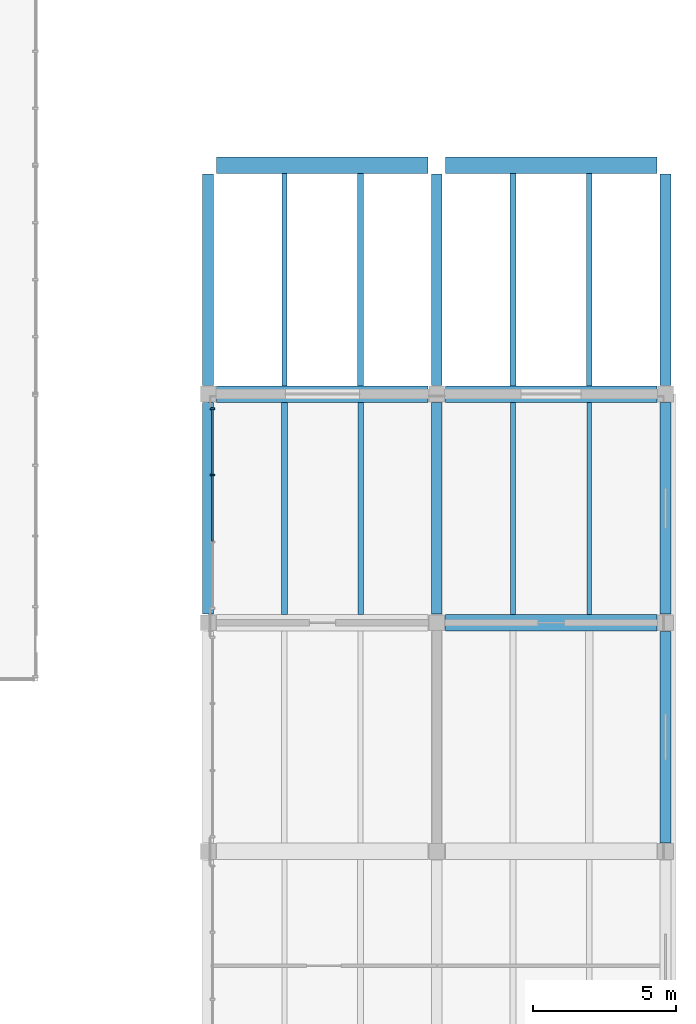
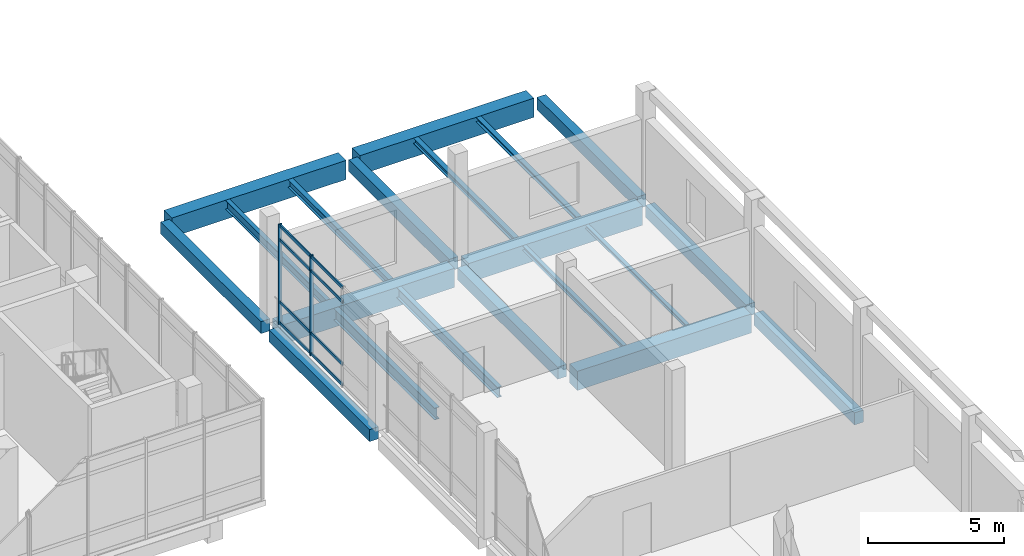
# One storey, part 11 of 28: 20 beams, 10 members, 1 element without a shape of its own.
"""IFC4 building model written with IfcOpenShell, lengths in metres."""

from ifc_helpers import new_model, si_unit, direction, frame, origin, origin_2d, place, context, subcontext, project, spatial, rectangle, i_section, extrude, material, material_profile, profile_set, type_object, element, aggregate, save


model = new_model("IFC4")

# Units and contexts
model_context = context("Model", 3, precision=1e-05, world=origin(), true_north=direction((0.0, 1.0)))
body_context = subcontext(model_context, "Body", "Model", "MODEL_VIEW")
ifc_project = project(units=[si_unit("LENGTHUNIT", "METRE"), si_unit("AREAUNIT", "SQUARE_METRE"), si_unit("VOLUMEUNIT", "CUBIC_METRE"), si_unit("PLANEANGLEUNIT", "RADIAN"), si_unit("MASSUNIT", "GRAM", prefix="KILO")], contexts=[model_context])

# Site, building, storey
site_placement = place(None, origin())
site = spatial("IfcSite", under=ifc_project, at=site_placement, CompositionType="ELEMENT")
building_placement = place(site_placement, origin())
building = spatial("IfcBuilding", under=site, at=building_placement, Name="Pecanmere Concourse Central Library", CompositionType="ELEMENT")
storey_placement = place(building_placement, frame((0.0, 0.0, 20.10009765625)))
storey = spatial("IfcBuildingStorey", under=building, at=storey_placement, Name="L05", CompositionType="ELEMENT", Elevation=20.10009765625)

# Beams
ifc_material_1 = material(Name="Concrete C40/50", Category="concrete")
ifc_material_profile_1 = material_profile(ifc_material_1, rectangle(XDim=0.3798828125, YDim=0.5400390625, at=origin_2d()), Name="RC 380x540")
ifc_profile_set_1 = profile_set([ifc_material_profile_1], Name="Concrete C40/50")
beam_type_1 = type_object("IfcBeamType", Name="BM_380x540", PredefinedType="BEAM", material=ifc_profile_set_1)
for number, where, z_axis, x_axis, name in (
    (1, (112.0, 90.300048828125, -0.550048828125), (0.0, 1.0, 0.0), (-1.0, 0.0, 0.0), "Primary Girder Y L05-2528"),
    (2, (112.0, 98.300048828125, -0.550048828125), (0.0, 1.0, 0.0), (-1.0, 0.0, 0.0), "Primary Girder Y L05-2529"),
    (3, (120.0, 90.300048828125, -0.550048828125), (0.0, 1.0, 0.0), (-1.0, 0.0, 0.0), "Primary Girder Y L05-2535"),
    (4, (120.0, 98.300048828125, -0.550048828125), (0.0, 1.0, 0.0), (-1.0, 0.0, 0.0), "Primary Girder Y L05-2536"),
    (5, (128.0, 82.300048828125, -0.550048828125), (0.0, 1.0, 0.0), (-1.0, 0.0, 0.0), "Primary Girder Y L05-2541"),
    (6, (128.0, 90.300048828125, -0.550048828125), (0.0, 1.0, 0.0), (-1.0, 0.0, 0.0), "Primary Girder Y L05-2542"),
    (7, (128.0, 98.300048828125, -0.550048828125), (0.0, 1.0, 0.0), (-1.0, 0.0, 0.0), "Primary Girder Y L05-2543"),
):
    element("IfcBeam", number, at=place(storey_placement, frame(where, z_axis=z_axis, x_axis=x_axis)), inside=storey, type_object=beam_type_1, Name=name, PredefinedType="BEAM", context=body_context, shape_type="SweptSolid", body=[
        extrude(rectangle(XDim=0.3798828125, YDim=0.5400390625, at=origin_2d()), origin(), (0.0, 0.0, 1.0), 7.39990234375),
    ])

# Curtain wall, members
ifc_material_2 = material(Name="Clear anodized aluminium alloy 6063-T6", Category="aluminium")
curtain_wall_type = type_object("IfcCurtainWallType", Name="CW_CLOISTER_GLAZ", PredefinedType="USERDEFINED", material=ifc_material_2)
curtain_wall_placement = place(storey_placement, origin())
curtain_wall = element("IfcCurtainWall", 8, at=curtain_wall_placement, inside=storey, type_object=curtain_wall_type, Name="Unitised Curtain Wall CW-04 L05-161", ObjectType="UNITISED CURTAIN WALL", PredefinedType="USERDEFINED")
ifc_material_3 = material(Name="Clear anodized aluminium alloy 6063-T6", Category="aluminium")
ifc_material_profile_2 = material_profile(ifc_material_3, rectangle(XDim=0.06005859375, YDim=0.14990234375, at=origin_2d()), Name="AL 60x150")
ifc_profile_set_2 = profile_set([ifc_material_profile_2], Name="Clear anodized aluminium alloy 6063-T6")
member_type_1 = type_object("IfcMemberType", Name="CWM_150x60", PredefinedType="MULLION", material=ifc_profile_set_2)
member_1_placement = place(storey_placement, frame((112.14990234375, 97.489990234375, 0.0), z_axis=(0.0, 0.0, 1.0), x_axis=(0.0, -1.0, 0.0)))
member_1 = element("IfcMember", 9, at=member_1_placement, type_object=member_type_1, Name="CW-04 Mullion 1", PredefinedType="MULLION", context=body_context, shape_type="SweptSolid", body=[
    extrude(rectangle(XDim=0.06005859375, YDim=0.14990234375, at=origin_2d()), origin(), (0.0, 0.0, 1.0), 4.5),
])
member_2_placement = place(storey_placement, frame((112.14990234375, 95.17333984375, 0.0), z_axis=(0.0, 0.0, 1.0), x_axis=(0.0, -1.0, 0.0)))
member_2 = element("IfcMember", 10, at=member_2_placement, type_object=member_type_1, Name="CW-04 Mullion 2", PredefinedType="MULLION", context=body_context, shape_type="SweptSolid", body=[
    extrude(rectangle(XDim=0.06005859375, YDim=0.14990234375, at=origin_2d()), origin(), (0.0, 0.0, 1.0), 4.5),
])
ifc_material_4 = material(Name="Clear anodized aluminium alloy 6063-T6", Category="aluminium")
ifc_material_profile_3 = material_profile(ifc_material_4, rectangle(XDim=0.054931640625, YDim=0.139892578125, at=origin_2d()), Name="AL 55x140")
ifc_profile_set_3 = profile_set([ifc_material_profile_3], Name="Clear anodized aluminium alloy 6063-T6")
member_type_2 = type_object("IfcMemberType", Name="CWT_140x55", PredefinedType="USERDEFINED", material=ifc_profile_set_3)
member_3_placement = place(storey_placement, frame((112.14990234375, 97.4599609375, 0.06982421875), z_axis=(0.0, -1.0, 0.0), x_axis=(1.0, 0.0, 0.0)))
member_3 = element("IfcMember", 11, at=member_3_placement, type_object=member_type_2, Name="CW-04 Transom 1.1", ObjectType="TRANSOM", PredefinedType="USERDEFINED", context=body_context, shape_type="SweptSolid", body=[
    extrude(rectangle(XDim=0.054931640625, YDim=0.139892578125, at=origin_2d()), origin(), (0.0, 0.0, 1.0), 2.256591796875),
])
member_4_placement = place(storey_placement, frame((112.14990234375, 97.4599609375, 1.0), z_axis=(0.0, -1.0, 0.0), x_axis=(1.0, 0.0, 0.0)))
member_4 = element("IfcMember", 12, at=member_4_placement, type_object=member_type_2, Name="CW-04 Transom 1.2", ObjectType="TRANSOM", PredefinedType="USERDEFINED", context=body_context, shape_type="SweptSolid", body=[
    extrude(rectangle(XDim=0.054931640625, YDim=0.139892578125, at=origin_2d()), origin(), (0.0, 0.0, 1.0), 2.256591796875),
])
member_5_placement = place(storey_placement, frame((112.14990234375, 97.4599609375, 3.7998046875), z_axis=(0.0, -1.0, 0.0), x_axis=(1.0, 0.0, 0.0)))
member_5 = element("IfcMember", 13, at=member_5_placement, type_object=member_type_2, Name="CW-04 Transom 1.3", ObjectType="TRANSOM", PredefinedType="USERDEFINED", context=body_context, shape_type="SweptSolid", body=[
    extrude(rectangle(XDim=0.054931640625, YDim=0.139892578125, at=origin_2d()), origin(), (0.0, 0.0, 1.0), 2.256591796875),
])
member_6_placement = place(storey_placement, frame((112.14990234375, 97.4599609375, 4.429931640625), z_axis=(0.0, -1.0, 0.0), x_axis=(1.0, 0.0, 0.0)))
member_6 = element("IfcMember", 14, at=member_6_placement, type_object=member_type_2, Name="CW-04 Transom 1.4", ObjectType="TRANSOM", PredefinedType="USERDEFINED", context=body_context, shape_type="SweptSolid", body=[
    extrude(rectangle(XDim=0.054931640625, YDim=0.139892578125, at=origin_2d()), origin(), (0.0, 0.0, 1.0), 2.256591796875),
])
member_7_placement = place(storey_placement, frame((112.14990234375, 95.143310546875, 0.06982421875), z_axis=(0.0, -1.0, 0.0), x_axis=(1.0, 0.0, 0.0)))
member_7 = element("IfcMember", 15, at=member_7_placement, type_object=member_type_2, Name="CW-04 Transom 2.1", ObjectType="TRANSOM", PredefinedType="USERDEFINED", context=body_context, shape_type="SweptSolid", body=[
    extrude(rectangle(XDim=0.054931640625, YDim=0.139892578125, at=origin_2d()), origin(), (0.0, 0.0, 1.0), 2.28662109375),
])
member_8_placement = place(storey_placement, frame((112.14990234375, 95.143310546875, 1.0), z_axis=(0.0, -1.0, 0.0), x_axis=(1.0, 0.0, 0.0)))
member_8 = element("IfcMember", 16, at=member_8_placement, type_object=member_type_2, Name="CW-04 Transom 2.2", ObjectType="TRANSOM", PredefinedType="USERDEFINED", context=body_context, shape_type="SweptSolid", body=[
    extrude(rectangle(XDim=0.054931640625, YDim=0.139892578125, at=origin_2d()), origin(), (0.0, 0.0, 1.0), 2.28662109375),
])
member_9_placement = place(storey_placement, frame((112.14990234375, 95.143310546875, 3.7998046875), z_axis=(0.0, -1.0, 0.0), x_axis=(1.0, 0.0, 0.0)))
member_9 = element("IfcMember", 17, at=member_9_placement, type_object=member_type_2, Name="CW-04 Transom 2.3", ObjectType="TRANSOM", PredefinedType="USERDEFINED", context=body_context, shape_type="SweptSolid", body=[
    extrude(rectangle(XDim=0.054931640625, YDim=0.139892578125, at=origin_2d()), origin(), (0.0, 0.0, 1.0), 2.28662109375),
])
member_10_placement = place(storey_placement, frame((112.14990234375, 95.143310546875, 4.429931640625), z_axis=(0.0, -1.0, 0.0), x_axis=(1.0, 0.0, 0.0)))
member_10 = element("IfcMember", 18, at=member_10_placement, type_object=member_type_2, Name="CW-04 Transom 2.4", ObjectType="TRANSOM", PredefinedType="USERDEFINED", context=body_context, shape_type="SweptSolid", body=[
    extrude(rectangle(XDim=0.054931640625, YDim=0.139892578125, at=origin_2d()), origin(), (0.0, 0.0, 1.0), 2.28662109375),
])
aggregate(curtain_wall, [member_1, member_2, member_3, member_4, member_5, member_6, member_7, member_8, member_9, member_10])

# Beams
ifc_material_5 = material(Name="Concrete C40/50", Category="concrete")
ifc_material_profile_4 = material_profile(ifc_material_5, rectangle(XDim=0.580078125, YDim=0.860107421875, at=origin_2d()), Name="RC 580x860")
ifc_profile_set_4 = profile_set([ifc_material_profile_4], Name="Concrete C40/50")
beam_type_2 = type_object("IfcBeamType", Name="GRD_580x860", PredefinedType="USERDEFINED", material=ifc_profile_set_4)
for number, where, z_axis, x_axis, name in (
    (19, (120.300048828125, 90.0, -0.710205078125), (1.0, 0.0, 0.0), (0.0, 1.0, 0.0), "Primary Girder X L05-2461"),
    (20, (112.300048828125, 98.0, -0.710205078125), (1.0, 0.0, 0.0), (0.0, 1.0, 0.0), "Primary Girder X L05-2468"),
    (21, (120.300048828125, 98.0, -0.710205078125), (1.0, 0.0, 0.0), (0.0, 1.0, 0.0), "Primary Girder X L05-2469"),
    (22, (112.300048828125, 106.0, -0.710205078125), (1.0, 0.0, 0.0), (0.0, 1.0, 0.0), "Primary Girder X L05-2474"),
    (23, (120.300048828125, 106.0, -0.710205078125), (1.0, 0.0, 0.0), (0.0, 1.0, 0.0), "Primary Girder X L05-2475"),
):
    element("IfcBeam", number, at=place(storey_placement, frame(where, z_axis=z_axis, x_axis=x_axis)), inside=storey, type_object=beam_type_2, Name=name, ObjectType="GIRDER", PredefinedType="USERDEFINED", context=body_context, shape_type="SweptSolid", body=[
        extrude(rectangle(XDim=0.580078125, YDim=0.860107421875, at=origin_2d()), origin(), (0.0, 0.0, 1.0), 7.39990234375),
    ])
ifc_material_6 = material(Name="Structural steel ASTM A992 Grade 50", Category="steel")
ifc_material_profile_5 = material_profile(ifc_material_6, i_section(OverallWidth=0.152099609375, OverallDepth=0.152099609375, WebThickness=0.005859375, FlangeThickness=0.006591796875, at=origin_2d()), Name="W150x22.5")
ifc_profile_set_5 = profile_set([ifc_material_profile_5], Name="Structural steel ASTM A992 Grade 50")
beam_type_3 = type_object("IfcBeamType", Name="SBM_W150x22", PredefinedType="LINTEL", material=ifc_profile_set_5)
beam_1_placement = place(storey_placement, frame((125.333251953125, 90.2900390625, -0.356201171875), z_axis=(0.0, 1.0, 0.0), x_axis=(-1.0, 0.0, 0.0)))
element("IfcBeam", 24, at=beam_1_placement, inside=storey, type_object=beam_type_3, Name="Secondary Floor Joist L05-2621", PredefinedType="LINTEL", context=body_context, shape_type="SweptSolid", body=[
    extrude(i_section(OverallWidth=0.152099609375, OverallDepth=0.152099609375, WebThickness=0.005859375, FlangeThickness=0.006591796875, at=origin_2d()), origin(), (0.0, 0.0, 1.0), 7.419921875),
])
ifc_material_7 = material(Name="Structural steel ASTM A992 Grade 50", Category="steel")
ifc_material_profile_6 = material_profile(ifc_material_7, i_section(OverallWidth=0.1650390625, OverallDepth=0.200927734375, WebThickness=0.006103515625, FlangeThickness=0.01025390625, at=origin_2d()), Name="W200x35.9")
ifc_profile_set_6 = profile_set([ifc_material_profile_6], Name="Structural steel ASTM A992 Grade 50")
beam_type_4 = type_object("IfcBeamType", Name="SBM_W200x36", PredefinedType="LINTEL", material=ifc_profile_set_6)
beam_2_placement = place(storey_placement, frame((122.666748046875, 90.2900390625, -0.380615234375), z_axis=(0.0, 1.0, 0.0), x_axis=(-1.0, 0.0, 0.0)))
element("IfcBeam", 25, at=beam_2_placement, inside=storey, type_object=beam_type_4, Name="Secondary Floor Joist L05-2620", PredefinedType="LINTEL", context=body_context, shape_type="SweptSolid", body=[
    extrude(i_section(OverallWidth=0.1650390625, OverallDepth=0.200927734375, WebThickness=0.006103515625, FlangeThickness=0.01025390625, at=origin_2d()), origin(), (0.0, 0.0, 1.0), 7.419921875),
])
ifc_material_8 = material(Name="Structural steel ASTM A992 Grade 50", Category="steel")
ifc_material_profile_7 = material_profile(ifc_material_8, i_section(OverallWidth=0.2041015625, OverallDepth=0.2060546875, WebThickness=0.0078125, FlangeThickness=0.0126953125, at=origin_2d()), Name="W200x52")
ifc_profile_set_7 = profile_set([ifc_material_profile_7], Name="Structural steel ASTM A992 Grade 50")
beam_type_5 = type_object("IfcBeamType", Name="SBM_W200x52", PredefinedType="JOIST", material=ifc_profile_set_7)
beam_3_placement = place(storey_placement, frame((125.333251953125, 98.2900390625, -0.383056640625), z_axis=(0.0, 1.0, 0.0), x_axis=(-1.0, 0.0, 0.0)))
element("IfcBeam", 26, at=beam_3_placement, inside=storey, type_object=beam_type_5, Name="Secondary Floor Joist L05-2623", PredefinedType="JOIST", context=body_context, shape_type="SweptSolid", body=[
    extrude(i_section(OverallWidth=0.2041015625, OverallDepth=0.2060546875, WebThickness=0.0078125, FlangeThickness=0.0126953125, at=origin_2d()), origin(), (0.0, 0.0, 1.0), 7.419921875),
])
ifc_material_9 = material(Name="Structural steel ASTM A992 Grade 50", Category="steel")
ifc_material_profile_8 = material_profile(ifc_material_9, i_section(OverallWidth=0.201904296875, OverallDepth=0.2470703125, WebThickness=0.00732421875, FlangeThickness=0.010986328125, at=origin_2d()), Name="W250x49.1")
ifc_profile_set_8 = profile_set([ifc_material_profile_8], Name="Structural steel ASTM A992 Grade 50")
beam_type_6 = type_object("IfcBeamType", Name="SBM_W250x49", PredefinedType="JOIST", material=ifc_profile_set_8)
beam_4_placement = place(storey_placement, frame((122.666748046875, 98.2900390625, -0.403564453125), z_axis=(0.0, 1.0, 0.0), x_axis=(-1.0, 0.0, 0.0)))
element("IfcBeam", 27, at=beam_4_placement, inside=storey, type_object=beam_type_6, Name="Secondary Floor Joist L05-2622", PredefinedType="JOIST", context=body_context, shape_type="SweptSolid", body=[
    extrude(i_section(OverallWidth=0.201904296875, OverallDepth=0.2470703125, WebThickness=0.00732421875, FlangeThickness=0.010986328125, at=origin_2d()), origin(), (0.0, 0.0, 1.0), 7.419921875),
])
ifc_material_10 = material(Name="Structural steel ASTM A992 Grade 50", Category="steel")
ifc_material_profile_9 = material_profile(ifc_material_10, i_section(OverallWidth=0.202880859375, OverallDepth=0.346923828125, WebThickness=0.0078125, FlangeThickness=0.013427734375, at=origin_2d()), Name="W360x64")
ifc_profile_set_9 = profile_set([ifc_material_profile_9], Name="Structural steel ASTM A992 Grade 50")
beam_type_7 = type_object("IfcBeamType", Name="SBM_W360x64", PredefinedType="JOIST", material=ifc_profile_set_9)
beam_5_placement = place(storey_placement, frame((117.333251953125, 98.2900390625, -0.45361328125), z_axis=(0.0, 1.0, 0.0), x_axis=(-1.0, 0.0, 0.0)))
element("IfcBeam", 28, at=beam_5_placement, inside=storey, type_object=beam_type_7, Name="Secondary Floor Joist L05-2609", PredefinedType="JOIST", context=body_context, shape_type="SweptSolid", body=[
    extrude(i_section(OverallWidth=0.202880859375, OverallDepth=0.346923828125, WebThickness=0.0078125, FlangeThickness=0.013427734375, at=origin_2d()), origin(), (0.0, 0.0, 1.0), 7.419921875),
])
ifc_material_11 = material(Name="Structural steel ASTM A992 Grade 50", Category="steel")
ifc_material_profile_10 = material_profile(ifc_material_11, i_section(OverallWidth=0.177978515625, OverallDepth=0.406982421875, WebThickness=0.0078125, FlangeThickness=0.0126953125, at=origin_2d()), Name="W410x60")
ifc_profile_set_10 = profile_set([ifc_material_profile_10], Name="Structural steel ASTM A992 Grade 50")
beam_type_8 = type_object("IfcBeamType", Name="SBM_W410x60", PredefinedType="JOIST", material=ifc_profile_set_10)
beam_6_placement = place(storey_placement, frame((114.666748046875, 98.2900390625, -0.483642578125), z_axis=(0.0, 1.0, 0.0), x_axis=(-1.0, 0.0, 0.0)))
element("IfcBeam", 29, at=beam_6_placement, inside=storey, type_object=beam_type_8, Name="Secondary Floor Joist L05-2608", PredefinedType="JOIST", context=body_context, shape_type="SweptSolid", body=[
    extrude(i_section(OverallWidth=0.177978515625, OverallDepth=0.406982421875, WebThickness=0.0078125, FlangeThickness=0.0126953125, at=origin_2d()), origin(), (0.0, 0.0, 1.0), 7.419921875),
])
ifc_material_12 = material(Name="Structural steel ASTM A992 Grade 50", Category="steel")
ifc_material_profile_11 = material_profile(ifc_material_12, i_section(OverallWidth=0.194091796875, OverallDepth=0.468994140625, WebThickness=0.0126953125, FlangeThickness=0.0205078125, at=origin_2d()), Name="W460x106")
ifc_profile_set_11 = profile_set([ifc_material_profile_11], Name="Structural steel ASTM A992 Grade 50")
beam_type_9 = type_object("IfcBeamType", Name="SBM_W460x106", PredefinedType="USERDEFINED", material=ifc_profile_set_11)
beam_7_placement = place(storey_placement, frame((117.333251953125, 90.2900390625, -0.5146484375), z_axis=(0.0, 1.0, 0.0), x_axis=(-1.0, 0.0, 0.0)))
element("IfcBeam", 30, at=beam_7_placement, inside=storey, type_object=beam_type_9, Name="Secondary Floor Joist L05-2607", ObjectType="GIRDER", PredefinedType="USERDEFINED", context=body_context, shape_type="SweptSolid", body=[
    extrude(i_section(OverallWidth=0.194091796875, OverallDepth=0.468994140625, WebThickness=0.0126953125, FlangeThickness=0.0205078125, at=origin_2d()), origin(), (0.0, 0.0, 1.0), 7.419921875),
])
ifc_material_13 = material(Name="Structural steel ASTM A992 Grade 50", Category="steel")
ifc_material_profile_12 = material_profile(ifc_material_13, i_section(OverallWidth=0.208984375, OverallDepth=0.532958984375, WebThickness=0.01025390625, FlangeThickness=0.015625, at=origin_2d()), Name="W530x92")
ifc_profile_set_12 = profile_set([ifc_material_profile_12], Name="Structural steel ASTM A992 Grade 50")
beam_type_10 = type_object("IfcBeamType", Name="SBM_W530x92", PredefinedType="BEAM", material=ifc_profile_set_12)
beam_8_placement = place(storey_placement, frame((114.666748046875, 90.2900390625, -0.546630859375), z_axis=(0.0, 1.0, 0.0), x_axis=(-1.0, 0.0, 0.0)))
element("IfcBeam", 31, at=beam_8_placement, inside=storey, type_object=beam_type_10, Name="Secondary Floor Joist L05-2606", PredefinedType="BEAM", context=body_context, shape_type="SweptSolid", body=[
    extrude(i_section(OverallWidth=0.208984375, OverallDepth=0.532958984375, WebThickness=0.01025390625, FlangeThickness=0.015625, at=origin_2d()), origin(), (0.0, 0.0, 1.0), 7.419921875),
])

save(model, "model.ifc")
